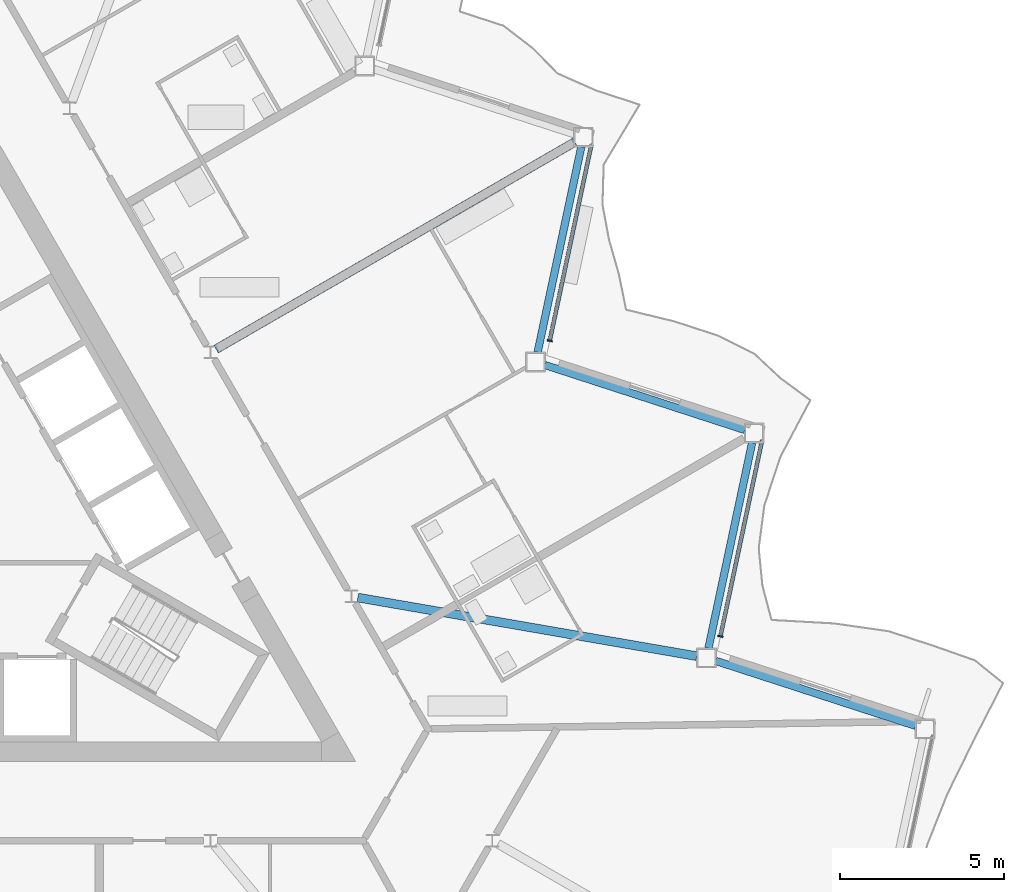
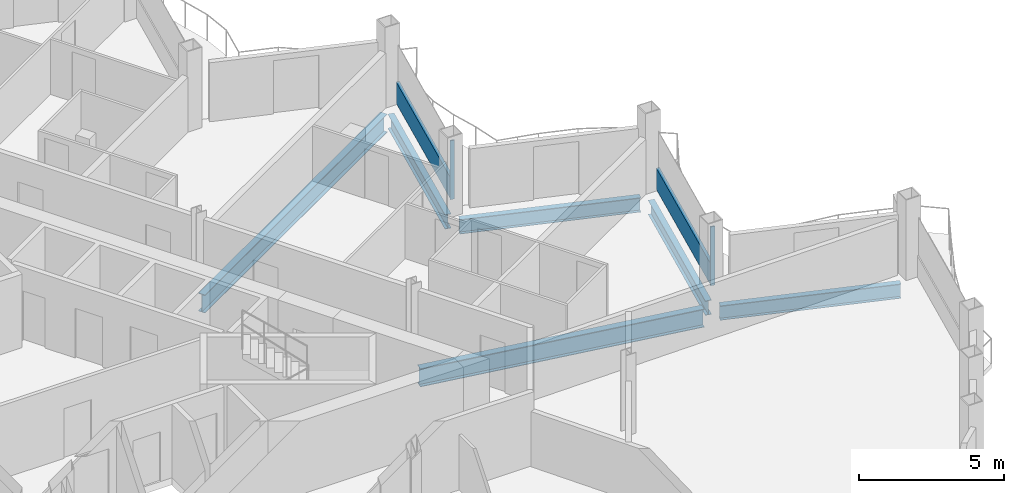
# One storey, part 9 of 26: 6 beams, 4 members, 2 elements without a shape of their own.
"""IFC4 building model written with IfcOpenShell, lengths in metres."""

from ifc_helpers import new_model, si_unit, direction, frame, origin, origin_2d, place, context, subcontext, project, spatial, rectangle, i_section, extrude, material, layer, layer_set, material_profile, profile_set, type_object, element, aggregate, save


model = new_model("IFC4")

# Units and contexts
model_context = context("Model", 3, precision=1e-05, world=origin(), true_north=direction((0.0, 1.0)))
body_context = subcontext(model_context, "Body", "Model", "MODEL_VIEW")
ifc_project = project(units=[si_unit("LENGTHUNIT", "METRE"), si_unit("AREAUNIT", "SQUARE_METRE"), si_unit("VOLUMEUNIT", "CUBIC_METRE"), si_unit("PLANEANGLEUNIT", "RADIAN"), si_unit("MASSUNIT", "GRAM", prefix="KILO")], contexts=[model_context])

# Site, building, storey
site_placement = place(None, origin())
site = spatial("IfcSite", under=ifc_project, at=site_placement, CompositionType="ELEMENT")
building_placement = place(site_placement, origin())
building = spatial("IfcBuilding", under=site, at=building_placement, Name="Cormorant Prow Tower", CompositionType="ELEMENT")
storey_placement = place(building_placement, frame((0.0, 0.0, 322.199951171875)))
storey = spatial("IfcBuildingStorey", under=building, at=storey_placement, Name="L71", CompositionType="ELEMENT", Elevation=322.199951171875)

# Beams
ifc_material_1 = material(Name="Structural steel ASTM A992 Gr 50", Category="steel")
ifc_material_profile_1 = material_profile(ifc_material_1, i_section(OverallWidth=0.267822265625, OverallDepth=0.77001953125, WebThickness=0.015625, FlangeThickness=0.025390625, at=origin_2d()), Name="W30x132")
ifc_profile_set_1 = profile_set([ifc_material_profile_1], Name="Structural steel ASTM A992 Gr 50")
beam_type_1 = type_object("IfcBeamType", Name="Radial floor beam W30x132", PredefinedType="BEAM", material=ifc_profile_set_1)
beam_1_placement = place(storey_placement, frame((13.0625, -2.510009765625, -0.684814453125), z_axis=(0.985379592304, -0.170373293304, 0.0), x_axis=(0.170373293304, 0.985379592304, 0.0)))
element("IfcBeam", 1, at=beam_1_placement, inside=storey, type_object=beam_type_1, Name="Radial floor beam FB3 10 L71", PredefinedType="BEAM", context=body_context, shape_type="SweptSolid", body=[
    extrude(i_section(OverallWidth=0.267822265625, OverallDepth=0.77001953125, WebThickness=0.015625, FlangeThickness=0.025390625, at=origin_2d()), origin(), (0.0, 0.0, 1.0), 10.465087890625),
])
beam_2_placement = place(storey_placement, frame((8.749755859375, 5.051513671875, -0.684814453125), z_axis=(0.866021086443, 0.50000747778, 0.0), x_axis=(-0.50000747778, 0.866021086443, 0.0)))
element("IfcBeam", 2, at=beam_2_placement, inside=storey, type_object=beam_type_1, Name="Radial floor beam FB3 11 L71", PredefinedType="BEAM", context=body_context, shape_type="SweptSolid", body=[
    extrude(i_section(OverallWidth=0.267822265625, OverallDepth=0.77001953125, WebThickness=0.015625, FlangeThickness=0.025390625, at=origin_2d()), origin(), (0.0, 0.0, 1.0), 12.604736328125),
])

# Curtain wall, member
ifc_material_2 = material(Name="Aluminium 6063-T6", Category="aluminium")
ifc_layer = layer(ifc_material_2, 0.159912109375)
ifc_layer_set = layer_set([ifc_layer], Name="Aluminium 6063-T6")
curtain_wall_type = type_object("IfcCurtainWallType", Name="Residential unitised curtain wall 160", PredefinedType="NOTDEFINED", material=ifc_layer_set)
curtain_wall_1_placement = place(storey_placement, origin())
curtain_wall_1 = element("IfcCurtainWall", 3, at=curtain_wall_1_placement, inside=storey, type_object=curtain_wall_type, Name="Residential curtain wall ENE02", PredefinedType="NOTDEFINED")
ifc_material_3 = material(Name="Aluminium 6063-T6", Category="aluminium")
ifc_material_profile_2 = material_profile(ifc_material_3, rectangle(XDim=0.159912109375, YDim=0.050048828125, at=origin_2d()), Name="Residential mullion 50x160")
ifc_profile_set_2 = profile_set([ifc_material_profile_2], Name="Aluminium 6063-T6")
member_type_1 = type_object("IfcMemberType", Name="Residential mullion 50x160", PredefinedType="MULLION", material=ifc_profile_set_2)
member_1_placement = place(storey_placement, frame((24.097900390625, -3.688232421875, 0.0), z_axis=(0.0, 0.0, 1.0), x_axis=(-0.978147600676, 0.207911691091, 0.0)))
member_1 = element("IfcMember", 4, at=member_1_placement, type_object=member_type_1, Name="Residential mullion ENE02", PredefinedType="MULLION", context=body_context, shape_type="SweptSolid", body=[
    extrude(rectangle(XDim=0.159912109375, YDim=0.050048828125, at=origin_2d()), origin(), (0.0, 0.0, 1.0), 2.488037109375),
])

curtain_wall_2_placement = place(storey_placement, origin())
curtain_wall_2 = element("IfcCurtainWall", 5, at=curtain_wall_2_placement, inside=storey, type_object=curtain_wall_type, Name="Residential curtain wall ENE04", PredefinedType="NOTDEFINED")
member_2_placement = place(storey_placement, frame((18.903076171875, 5.309326171875, 0.0), z_axis=(0.0, 0.0, 1.0), x_axis=(-0.978147600676, 0.207911691091, 0.0)))
member_2 = element("IfcMember", 6, at=member_2_placement, type_object=member_type_1, Name="Residential mullion ENE04", PredefinedType="MULLION", context=body_context, shape_type="SweptSolid", body=[
    extrude(rectangle(XDim=0.159912109375, YDim=0.050048828125, at=origin_2d()), origin(), (0.0, 0.0, 1.0), 2.488037109375),
])

# Member
ifc_material_4 = material(Name="Terracotta", Category="masonry")
ifc_material_profile_3 = material_profile(ifc_material_4, rectangle(XDim=0.1201171875, YDim=0.89990234375, at=origin_2d()), Name="Residential terracotta spandrel rail 120x900")
ifc_profile_set_3 = profile_set([ifc_material_profile_3], Name="Terracotta")
member_type_2 = type_object("IfcMemberType", Name="Residential terracotta spandrel rail 120x900", PredefinedType="USERDEFINED", material=ifc_profile_set_3)
member_3_placement = place(storey_placement, frame((24.10302734375, -3.663818359375, 0.449951171875), z_axis=(0.207908765956, 0.978148222428, 0.0), x_axis=(-0.978148222428, 0.207908765956, 0.0)))
member_3 = element("IfcMember", 7, at=member_3_placement, type_object=member_type_2, Name="Residential spandrel rail ENE02", ObjectType="TRANSOM", PredefinedType="USERDEFINED", context=body_context, shape_type="SweptSolid", body=[
    extrude(rectangle(XDim=0.1201171875, YDim=0.89990234375, at=origin_2d()), origin(), (0.0, 0.0, 1.0), 6.072021484375),
])

aggregate(curtain_wall_1, [member_1, member_3])

member_4_placement = place(storey_placement, frame((18.908447265625, 5.333740234375, 0.449951171875), z_axis=(0.207908765956, 0.978148222428, 0.0), x_axis=(-0.978148222428, 0.207908765956, 0.0)))
member_4 = element("IfcMember", 8, at=member_4_placement, type_object=member_type_2, Name="Residential spandrel rail ENE04", ObjectType="TRANSOM", PredefinedType="USERDEFINED", context=body_context, shape_type="SweptSolid", body=[
    extrude(rectangle(XDim=0.1201171875, YDim=0.89990234375, at=origin_2d()), origin(), (0.0, 0.0, 1.0), 6.072021484375),
])

aggregate(curtain_wall_2, [member_2, member_4])

# Beams
ifc_material_5 = material(Name="Structural steel ASTM A992 Gr 50", Category="steel")
ifc_material_profile_4 = material_profile(ifc_material_5, i_section(OverallWidth=0.22900390625, OverallDepth=0.612060546875, WebThickness=0.011962890625, FlangeThickness=0.01953125, at=origin_2d()), Name="W24x84")
ifc_profile_set_4 = profile_set([ifc_material_profile_4], Name="Structural steel ASTM A992 Gr 50")
beam_type_2 = type_object("IfcBeamType", Name="Spandrel beam W24x84", PredefinedType="SPANDREL", material=ifc_profile_set_4)
beam_3_placement = place(storey_placement, frame((30.038330078125, -6.413330078125, -0.60595703125), z_axis=(-0.951064359156, 0.308992855489, 0.0), x_axis=(-0.308992855489, -0.951064359156, 0.0)))
element("IfcBeam", 9, at=beam_3_placement, inside=storey, type_object=beam_type_2, Name="Spandrel beam SB3 ENE01-ENE02 L71", PredefinedType="SPANDREL", context=body_context, shape_type="SweptSolid", body=[
    extrude(i_section(OverallWidth=0.22900390625, OverallDepth=0.612060546875, WebThickness=0.011962890625, FlangeThickness=0.01953125, at=origin_2d()), origin(), (0.0, 0.0, 1.0), 6.39599609375),
])
beam_4_placement = place(storey_placement, frame((23.732421875, -4.05078125, -0.60595703125), z_axis=(0.20791262393, 0.978147402394, 0.0), x_axis=(-0.978147402394, 0.20791262393, 0.0)))
element("IfcBeam", 10, at=beam_4_placement, inside=storey, type_object=beam_type_2, Name="Spandrel beam SB3 ENE02-ENE03 L71", PredefinedType="SPANDREL", context=body_context, shape_type="SweptSolid", body=[
    extrude(i_section(OverallWidth=0.22900390625, OverallDepth=0.612060546875, WebThickness=0.011962890625, FlangeThickness=0.01953125, at=origin_2d()), origin(), (0.0, 0.0, 1.0), 6.396240234375),
])
beam_5_placement = place(storey_placement, frame((24.83935546875, 2.591796875, -0.60595703125), z_axis=(-0.951064359156, 0.308992855489, 0.0), x_axis=(-0.308992855489, -0.951064359156, 0.0)))
element("IfcBeam", 11, at=beam_5_placement, inside=storey, type_object=beam_type_2, Name="Spandrel beam SB3 ENE03-ENE04 L71", PredefinedType="SPANDREL", context=body_context, shape_type="SweptSolid", body=[
    extrude(i_section(OverallWidth=0.22900390625, OverallDepth=0.612060546875, WebThickness=0.011962890625, FlangeThickness=0.01953125, at=origin_2d()), origin(), (0.0, 0.0, 1.0), 6.39599609375),
])
beam_6_placement = place(storey_placement, frame((18.533447265625, 4.954345703125, -0.60595703125), z_axis=(0.20791262393, 0.978147402394, 0.0), x_axis=(-0.978147402394, 0.20791262393, 0.0)))
element("IfcBeam", 12, at=beam_6_placement, inside=storey, type_object=beam_type_2, Name="Spandrel beam SB3 ENE04-ENE05 L71", PredefinedType="SPANDREL", context=body_context, shape_type="SweptSolid", body=[
    extrude(i_section(OverallWidth=0.22900390625, OverallDepth=0.612060546875, WebThickness=0.011962890625, FlangeThickness=0.01953125, at=origin_2d()), origin(), (0.0, 0.0, 1.0), 6.396240234375),
])

save(model, "model.ifc")
